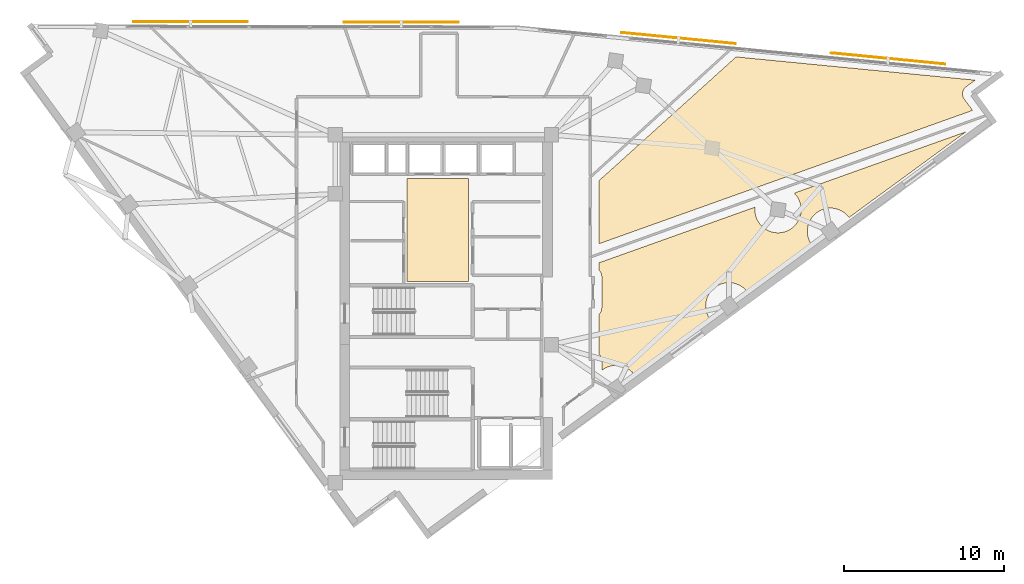
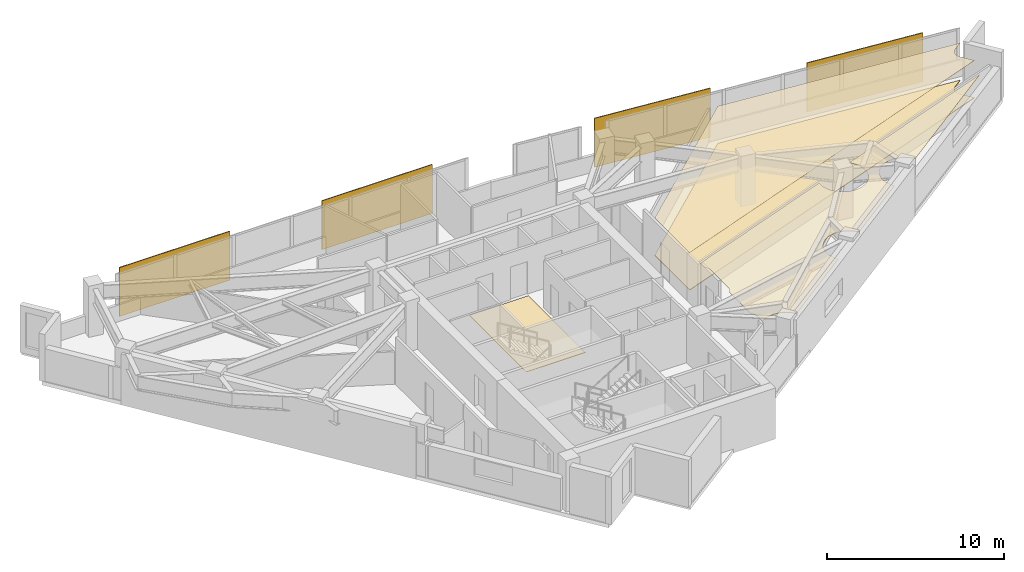
# One storey, part 14 of 14: 4 coverings, 4 shading devices.
"""IFC4 building model written with IfcOpenShell, lengths in metres."""

import ifcopenshell
import ifcopenshell.guid

model = None  # the IFC model being written
_history = None  # IfcOwnerHistory: only IFC2X3 demands one
_inside = {}  # id of a spatial element -> (the spatial element, [elements in it])
_under = {}  # id of a project, library or spatial element -> (it, [spatial elements below it])
_declared = {}  # id of a project -> (the project, [libraries it declares])
_typed = {}  # id of a type object -> (the type object, [elements of that type])
_made_of = {}  # id of a material, layer set ... -> (it, [elements and type objects made of it])


def new_model(schema):
    """Start an empty IFC model of exactly this schema.

    Asked for "IFC4X3", IfcOpenShell would pick the latest addendum, in which some entities
    have other attributes; the version numbers below select the first issue.
    IFC2X3 requires an IfcOwnerHistory on every rooted entity: one is made here for all.
    """
    global model, _history
    if schema == "IFC4X3":
        model = ifcopenshell.file(schema_version=(4, 3, 0, 0))
    else:
        model = ifcopenshell.file(schema=schema)
    _inside.clear()
    _under.clear()
    _declared.clear()
    _typed.clear()
    _made_of.clear()
    _history = None
    if model.schema == "IFC2X3":
        org = make("IfcOrganization", Name="unknown")
        user = make(
            "IfcPersonAndOrganization",
            ThePerson=make("IfcPerson", FamilyName="unknown"),
            TheOrganization=org,
        )
        app = make(
            "IfcApplication",
            ApplicationDeveloper=org,
            Version="unknown",
            ApplicationFullName="unknown",
            ApplicationIdentifier="unknown",
        )
        _history = make(
            "IfcOwnerHistory",
            OwningUser=user,
            OwningApplication=app,
            ChangeAction="ADDED",
            CreationDate=0,
        )
    return model


def make(cls, **values):
    """One entity of the class cls with the attributes given. An attribute that is None is left unset."""
    return model.create_entity(
        cls, **{name: value for name, value in values.items() if value is not None}
    )


def rooted(cls, **values):
    """An entity with a GlobalId (a new one), such as an element, a storey or a relation."""
    return make(cls, GlobalId=ifcopenshell.guid.new(), OwnerHistory=_history, **values)


def si_unit(unit_type, name, prefix=None):
    """IfcSIUnit, for example si_unit("LENGTHUNIT", "METRE", prefix="MILLI")."""
    return make("IfcSIUnit", UnitType=unit_type, Prefix=prefix, Name=name)


def assignment(units):
    """IfcUnitAssignment: the units of a project."""
    return None if units is None else make("IfcUnitAssignment", Units=units)


def point(xyz):
    """IfcCartesianPoint."""
    return None if xyz is None else make("IfcCartesianPoint", Coordinates=xyz)


def direction(xyz):
    """IfcDirection."""
    return None if xyz is None else make("IfcDirection", DirectionRatios=xyz)


def frame(location, z_axis=None, x_axis=None):
    """IfcAxis2Placement3D, a coordinate frame: its origin and axes. An axis left out is left unset."""
    return make(
        "IfcAxis2Placement3D",
        Location=point(location),
        Axis=direction(z_axis),
        RefDirection=direction(x_axis),
    )


def frame_2d(location, x_axis=None):
    """IfcAxis2Placement2D, a coordinate frame in the plane: its origin and x axis."""
    return make(
        "IfcAxis2Placement2D", Location=point(location), RefDirection=direction(x_axis)
    )


def origin():
    """The frame at (0, 0, 0) with its axes left unset."""
    return frame((0.0, 0.0, 0.0))


def origin_2d():
    """The frame at (0, 0) in the plane with its x axis left unset."""
    return frame_2d((0.0, 0.0))


def place(relative_to, where):
    """IfcLocalPlacement: puts the frame where relative to a parent placement (None: the world)."""
    return make(
        "IfcLocalPlacement", PlacementRelTo=relative_to, RelativePlacement=where
    )


def context(
    kind, dimensions, precision=None, world=None, true_north=None, identifier=None
):
    """IfcGeometricRepresentationContext, for example the 3D "Model" context."""
    return make(
        "IfcGeometricRepresentationContext",
        ContextIdentifier=identifier,
        ContextType=kind,
        CoordinateSpaceDimension=dimensions,
        Precision=precision,
        WorldCoordinateSystem=world,
        TrueNorth=true_north,
    )


def subcontext(parent, identifier, kind, view, scale=None):
    """IfcGeometricRepresentationSubContext, for example "Body" below "Model"."""
    return make(
        "IfcGeometricRepresentationSubContext",
        ContextIdentifier=identifier,
        ContextType=kind,
        ParentContext=parent,
        TargetScale=scale,
        TargetView=view,
    )


def project(units=None, contexts=None):
    """IfcProject with its units and contexts."""
    return rooted(
        "IfcProject",
        Name="project",
        RepresentationContexts=contexts,
        UnitsInContext=assignment(units),
    )


def spatial(cls, under=None, at=None, **own):
    """A site, building, storey or space (cls), placed at a placement, below another one or the project."""
    s = rooted(cls, ObjectPlacement=at, **own)
    if under is not None:
        _under.setdefault(under.id(), (under, []))[1].append(s)
    return s


def polyline(points):
    """IfcPolyline through the points."""
    return make("IfcPolyline", Points=[point(p) for p in points])


def profile(cls, at=None, kind="AREA", **sizes):
    """A parametric profile (cls). Its sizes go by their IFC names, for example OverallWidth=200.0."""
    return make(cls, ProfileType=kind, Position=at, **sizes)


def rectangle(**sizes):
    """IfcRectangleProfileDef."""
    return profile("IfcRectangleProfileDef", **sizes)


def outline(outer, holes=None, kind="AREA"):
    """IfcArbitraryClosedProfileDef: a profile drawn as a closed curve; with holes, ...WithVoids."""
    if holes is None:
        return make("IfcArbitraryClosedProfileDef", ProfileType=kind, OuterCurve=outer)
    return make(
        "IfcArbitraryProfileDefWithVoids",
        ProfileType=kind,
        OuterCurve=outer,
        InnerCurves=holes,
    )


def extrude(swept, where, along, depth):
    """IfcExtrudedAreaSolid: the profile swept, set in the frame where, extruded along a direction by depth."""
    return make(
        "IfcExtrudedAreaSolid",
        SweptArea=swept,
        Position=where,
        ExtrudedDirection=direction(along),
        Depth=depth,
    )


def shape(context_of_items, identifier, shape_type, items):
    """IfcShapeRepresentation: the items that make up one representation, for example the "Body"."""
    return make(
        "IfcShapeRepresentation",
        ContextOfItems=context_of_items,
        RepresentationIdentifier=identifier,
        RepresentationType=shape_type,
        Items=items,
    )


def material(Name=None, Category=None):
    """IfcMaterial."""
    return make("IfcMaterial", Name=Name, Category=Category)


def layer(
    of_material, thickness, ventilated=None, Name=None, Category=None, Priority=None
):
    """IfcMaterialLayer: one layer of a wall or slab, of a material (None: an air gap)."""
    return make(
        "IfcMaterialLayer",
        Material=of_material,
        LayerThickness=thickness,
        IsVentilated=ventilated,
        Name=Name,
        Category=Category,
        Priority=Priority,
    )


def layer_set(layers, Name=None):
    """IfcMaterialLayerSet."""
    return make("IfcMaterialLayerSet", MaterialLayers=layers, LayerSetName=Name)


def made_of(thing, what):
    """Note that an element or type object is made of a material, layer set ...; save() writes the relation."""
    if what is not None:
        _made_of.setdefault(what.id(), (what, []))[1].append(thing)
    return thing


def type_object(cls, material=None, **own):
    """A type object (cls), such as IfcWallType, which elements share."""
    return made_of(rooted(cls, **own), material)


def element(
    cls,
    number,
    at=None,
    inside=None,
    cuts=None,
    type_object=None,
    material=None,
    context=None,
    identifier="Body",
    shape_type=None,
    held_by="IfcProductDefinitionShape",
    body=None,
    shapes=None,
    **own,
):
    """One element of the class cls, such as IfcWall. Its Tag is "e" and its number.

    at: its placement. inside: the storey or other place that contains it. cuts: it is an
    opening in that element (IfcRelVoidsElement). A single representation is given by context,
    identifier, shape_type and body (its items); several are given by shapes. held_by: the class
    of the entity that holds the representations. save() writes the other relations.
    """
    e = rooted(cls, Tag="e%d" % number, ObjectPlacement=at, **own)
    if body is not None:
        shapes = [shape(context, identifier, shape_type, body)]
    if shapes is not None:
        e.Representation = make(held_by, Representations=shapes)
    if inside is not None:
        _inside.setdefault(inside.id(), (inside, []))[1].append(e)
    if cuts is not None:
        rooted(
            "IfcRelVoidsElement", RelatingBuildingElement=cuts, RelatedOpeningElement=e
        )
    if type_object is not None:
        _typed.setdefault(type_object.id(), (type_object, []))[1].append(e)
    return made_of(e, material)


def aggregate(whole, parts):
    """IfcRelAggregates: a whole, such as a stair, and the parts it consists of."""
    return rooted("IfcRelAggregates", RelatingObject=whole, RelatedObjects=parts)


def save(model, path):
    """Write the relations noted so far, then the file.

    IfcRelAggregates (storeys below a building ...), IfcRelContainedInSpatialStructure (elements
    in a storey), IfcRelDefinesByType, IfcRelAssociatesMaterial and IfcRelDeclares: one each for
    every whole, place, type object, material and project.
    """
    for whole, parts in _under.values():
        aggregate(whole, parts)
    for where, things in _inside.values():
        rooted(
            "IfcRelContainedInSpatialStructure",
            RelatedElements=things,
            RelatingStructure=where,
        )
    for kind, things in _typed.values():
        rooted("IfcRelDefinesByType", RelatedObjects=things, RelatingType=kind)
    for what, things in _made_of.values():
        rooted("IfcRelAssociatesMaterial", RelatedObjects=things, RelatingMaterial=what)
    for by, libraries in _declared.values():
        rooted("IfcRelDeclares", RelatingContext=by, RelatedDefinitions=libraries)
    model.write(path)


model = new_model("IFC4")

# Units and contexts
model_context = context("Model", 3, precision=1e-05, world=origin(), true_north=direction((0.0, 1.0)))
body_context = subcontext(model_context, "Body", "Model", "MODEL_VIEW")
ifc_project = project(units=[si_unit("LENGTHUNIT", "METRE"), si_unit("AREAUNIT", "SQUARE_METRE"), si_unit("VOLUMEUNIT", "CUBIC_METRE"), si_unit("PLANEANGLEUNIT", "RADIAN"), si_unit("MASSUNIT", "GRAM", prefix="KILO")], contexts=[model_context])

# Site, building, storey
site_placement = place(None, origin())
site = spatial("IfcSite", under=ifc_project, at=site_placement, CompositionType="ELEMENT")
building_placement = place(site_placement, origin())
building = spatial("IfcBuilding", under=site, at=building_placement, Name="Narakoshi Arena Tower", CompositionType="ELEMENT")
storey_placement = place(building_placement, frame((0.0, 0.0, 260.739990234375)))
storey = spatial("IfcBuildingStorey", under=building, at=storey_placement, Name="L71", CompositionType="ELEMENT", Elevation=260.739990234375)

# Coverings
ifc_material_1 = material(Name="Acoustic mineral-fibre ceiling tile")
ifc_layer_1 = layer(ifc_material_1, 0.02001953125)
ifc_layer_set_1 = layer_set([ifc_layer_1], Name="Acoustic mineral-fibre ceiling tile")
covering_type_1 = type_object("IfcCoveringType", Name="COV-CLG-AC20", PredefinedType="CEILING", material=ifc_layer_set_1)
covering_1_placement = place(storey_placement, frame((0.0, 0.0, 2.590087890625)))
element("IfcCovering", 1, at=covering_1_placement, inside=storey, type_object=covering_type_1, Name="L71 Suspended Acoustic Ceiling 1", PredefinedType="CEILING", context=body_context, shape_type="SweptSolid", body=[
    extrude(outline(polyline([(111.486328125, 59.474365234375), (111.447998046875, 59.436279296875), (111.41357421875, 59.394775390625), (111.38330078125, 59.35009765625), (111.357666015625, 59.302734375), (111.336669921875, 59.2529296875), (111.32080078125, 59.201416015625), (111.309814453125, 59.1484375), (111.30419921875, 59.0947265625), (111.303955078125, 59.040771484375), (111.30908203125, 58.987060546875), (111.3193359375, 58.93408203125), (111.334716796875, 58.88232421875), (111.35498046875, 58.83251953125), (111.380126953125, 58.78466796875), (111.409912109375, 58.739501953125), (111.93212890625, 58.027099609375), (88.522216796875, 49.668212890625), (88.522216796875, 53.619384765625), (97.117919921875, 61.37890625), (112.09228515625, 59.921875), (111.5283203125, 59.50830078125), (111.486328125, 59.474365234375)])), origin(), (0.0, 0.0, 1.0), 0.02001953125),
])
ifc_material_2 = material(Name="Slatted oak acoustic timber baffle", Category="wood")
ifc_layer_2 = layer(ifc_material_2, 0.034912109375)
ifc_layer_set_2 = layer_set([ifc_layer_2], Name="Slatted oak acoustic timber baffle")
covering_type_2 = type_object("IfcCoveringType", Name="COV-CLG-WD35", PredefinedType="CEILING", material=ifc_layer_set_2)
covering_2_placement = place(storey_placement, frame((0.0, 0.0, 2.574951171875)))
element("IfcCovering", 2, at=covering_2_placement, inside=storey, type_object=covering_type_2, Name="L71 Suspended Acoustic Ceiling 2", PredefinedType="CEILING", context=body_context, shape_type="SweptSolid", body=[
    extrude(outline(polyline([(88.522216796875, 45.245849609375), (88.538818359375, 45.260986328125), (88.5751953125, 45.301025390625), (88.607421875, 45.344482421875), (88.635009765625, 45.390625), (88.658203125, 45.439453125), (88.67626953125, 45.490234375), (88.689453125, 45.542724609375), (88.697509765625, 45.59619140625), (88.699951171875, 45.64990234375), (88.699951171875, 47.6201171875), (88.697509765625, 47.673828125), (88.689453125, 47.727294921875), (88.67626953125, 47.77978515625), (88.658203125, 47.83056640625), (88.635009765625, 47.87939453125), (88.607421875, 47.925537109375), (88.5751953125, 47.968994140625), (88.538818359375, 48.0087890625), (88.522216796875, 48.024169921875), (88.522216796875, 48.474853515625), (98.30224609375, 51.966796875), (98.299560546875, 51.94921875), (98.29248046875, 51.80712890625), (98.299560546875, 51.6650390625), (98.320556640625, 51.524169921875), (98.35498046875, 51.38623046875), (98.403076171875, 51.252197265625), (98.4638671875, 51.12353515625), (98.537109375, 51.00146484375), (98.62158203125, 50.88720703125), (98.71728515625, 50.78173828125), (98.82275390625, 50.686279296875), (98.93701171875, 50.6015625), (99.05908203125, 50.5283203125), (99.187744140625, 50.467529296875), (99.32177734375, 50.41943359375), (99.459716796875, 50.385009765625), (99.6005859375, 50.364013671875), (99.74267578125, 50.357177734375), (99.884765625, 50.364013671875), (100.025390625, 50.385009765625), (100.16357421875, 50.41943359375), (100.297607421875, 50.467529296875), (100.426025390625, 50.5283203125), (100.548095703125, 50.6015625), (100.66259765625, 50.686279296875), (100.767822265625, 50.78173828125), (100.863525390625, 50.88720703125), (100.9482421875, 51.00146484375), (101.021484375, 51.12353515625), (101.082275390625, 51.252197265625), (101.130126953125, 51.38623046875), (101.164794921875, 51.524169921875), (101.185546875, 51.6650390625), (101.192626953125, 51.80712890625), (101.185546875, 51.94921875), (101.164794921875, 52.090087890625), (101.130126953125, 52.22802734375), (101.082275390625, 52.362060546875), (101.021484375, 52.490478515625), (100.9482421875, 52.61279296875), (100.863525390625, 52.72705078125), (100.767822265625, 52.83251953125), (100.756103515625, 52.843017578125), (111.512939453125, 56.68408203125), (104.194580078125, 51.318115234375), (104.1533203125, 51.37353515625), (104.057861328125, 51.47900390625), (103.952392578125, 51.574462890625), (103.838134765625, 51.6591796875), (103.716064453125, 51.732421875), (103.58740234375, 51.793212890625), (103.453369140625, 51.84130859375), (103.3154296875, 51.875732421875), (103.174560546875, 51.896484375), (103.032470703125, 51.903564453125), (102.890380859375, 51.896484375), (102.74951171875, 51.875732421875), (102.611572265625, 51.84130859375), (102.4775390625, 51.793212890625), (102.34912109375, 51.732421875), (102.226806640625, 51.6591796875), (102.112548828125, 51.574462890625), (102.007080078125, 51.47900390625), (101.91162109375, 51.37353515625), (101.826904296875, 51.25927734375), (101.753662109375, 51.13720703125), (101.69287109375, 51.008544921875), (101.64501953125, 50.87451171875), (101.6103515625, 50.736572265625), (101.589599609375, 50.595703125), (101.58251953125, 50.45361328125), (101.589599609375, 50.3115234375), (101.6103515625, 50.170654296875), (101.64501953125, 50.03271484375), (101.69287109375, 49.898681640625), (101.753662109375, 49.77001953125), (101.826904296875, 49.64794921875), (101.858642578125, 49.605224609375), (97.825439453125, 46.64794921875), (97.7841796875, 46.703369140625), (97.688720703125, 46.808837890625), (97.583251953125, 46.904296875), (97.468994140625, 46.989013671875), (97.346923828125, 47.062255859375), (97.21826171875, 47.123046875), (97.084228515625, 47.171142578125), (96.9462890625, 47.20556640625), (96.805419921875, 47.2265625), (96.663330078125, 47.2333984375), (96.521240234375, 47.2265625), (96.380615234375, 47.20556640625), (96.242431640625, 47.171142578125), (96.1083984375, 47.123046875), (95.97998046875, 47.062255859375), (95.85791015625, 46.989013671875), (95.743408203125, 46.904296875), (95.63818359375, 46.808837890625), (95.54248046875, 46.703369140625), (95.457763671875, 46.589111328125), (95.384521484375, 46.467041015625), (95.32373046875, 46.33837890625), (95.27587890625, 46.204345703125), (95.2412109375, 46.06640625), (95.220458984375, 45.925537109375), (95.21337890625, 45.783447265625), (95.220458984375, 45.641357421875), (95.2412109375, 45.50048828125), (95.27587890625, 45.362548828125), (95.32373046875, 45.228515625), (95.384521484375, 45.10009765625), (95.457763671875, 44.977783203125), (95.489501953125, 44.93505859375), (90.74853515625, 41.458984375), (90.70751953125, 41.514404296875), (90.61181640625, 41.619873046875), (90.50634765625, 41.71533203125), (90.39208984375, 41.800048828125), (90.27001953125, 41.873291015625), (90.141357421875, 41.93408203125), (90.00732421875, 41.982177734375), (89.869384765625, 42.0166015625), (89.728515625, 42.03759765625), (89.58642578125, 42.04443359375), (89.4443359375, 42.03759765625), (89.3037109375, 42.0166015625), (89.16552734375, 41.982177734375), (89.031494140625, 41.93408203125), (88.903076171875, 41.873291015625), (88.781005859375, 41.800048828125), (88.699951171875, 41.739990234375), (88.699951171875, 42.35009765625), (88.697509765625, 42.40380859375), (88.689453125, 42.457275390625), (88.67626953125, 42.509765625), (88.658203125, 42.560546875), (88.635009765625, 42.609375), (88.607421875, 42.655517578125), (88.5751953125, 42.698974609375), (88.538818359375, 42.739013671875), (88.522216796875, 42.754150390625), (88.522216796875, 45.245849609375)])), origin(), (0.0, 0.0, 1.0), 0.03515625),
])
ifc_material_3 = material(Name="Raised steel access floor panel", Category="steel")
ifc_layer_3 = layer(ifc_material_3, 0.044921875)
ifc_layer_set_3 = layer_set([ifc_layer_3], Name="Raised steel access floor panel")
covering_type_3 = type_object("IfcCoveringType", Name="COV-FLR-RF45", PredefinedType="FLOORING", material=ifc_layer_set_3)
covering_3_placement = place(storey_placement, origin())
element("IfcCovering", 3, at=covering_3_placement, inside=storey, type_object=covering_type_3, Name="L71 Raised Steel Access Floor", PredefinedType="FLOORING", context=body_context, shape_type="SweptSolid", body=[
    extrude(outline(polyline([(111.486328125, 59.474365234375), (111.447998046875, 59.436279296875), (111.41357421875, 59.394775390625), (111.38330078125, 59.35009765625), (111.357666015625, 59.302734375), (111.336669921875, 59.2529296875), (111.32080078125, 59.201416015625), (111.309814453125, 59.1484375), (111.30419921875, 59.0947265625), (111.303955078125, 59.040771484375), (111.30908203125, 58.987060546875), (111.3193359375, 58.93408203125), (111.334716796875, 58.88232421875), (111.35498046875, 58.83251953125), (111.380126953125, 58.78466796875), (111.409912109375, 58.739501953125), (111.93212890625, 58.027099609375), (88.522216796875, 49.668212890625), (88.522216796875, 53.619384765625), (97.117919921875, 61.37890625), (112.09228515625, 59.921875), (111.5283203125, 59.50830078125), (111.486328125, 59.474365234375)])), origin(), (0.0, 0.0, 1.0), 0.044921875),
])
ifc_material_4 = material(Name="Honed granite stone paving", Category="masonry")
ifc_layer_4 = layer(ifc_material_4, 0.030029296875)
ifc_layer_set_4 = layer_set([ifc_layer_4], Name="Honed granite stone paving")
covering_type_4 = type_object("IfcCoveringType", Name="COV-FLR-ST30", PredefinedType="FLOORING", material=ifc_layer_set_4)
covering_4_placement = place(storey_placement, origin())
element("IfcCovering", 4, at=covering_4_placement, inside=storey, type_object=covering_type_4, Name="L71 Lift Lobby Granite Flooring", PredefinedType="FLOORING", context=body_context, shape_type="SweptSolid", body=[
    extrude(outline(polyline([(76.5, 47.300048828125), (80.35009765625, 47.300048828125), (80.35009765625, 53.75), (76.5, 53.75), (76.5, 47.300048828125)])), origin(), (0.0, 0.0, 1.0), 0.030029296875),
])

# Shading devices
ifc_material_5 = material(Name="Perforated bronze ceramic-metal composite")
ifc_layer_5 = layer(ifc_material_5, 0.06005859375)
ifc_layer_set_5 = layer_set([ifc_layer_5], Name="Perforated bronze ceramic-metal composite")
shading_device_type = type_object("IfcShadingDeviceType", Name="SHD-SCR-BRZ2", PredefinedType="USERDEFINED", material=ifc_layer_set_5)
for number, where, z_axis, x_axis, name in (
    (5, (106.64697265625, 61.275390625, 0.0), (0.0, 0.0, 1.0), (-0.995298664587, 0.096853333819, 0.0), "L71 Perforated Bronze Solar Screen 1-1"),
    (6, (93.509033203125, 62.553955078125, 0.0), (0.0, 0.0, 1.0), (-0.995298664587, 0.096853333819, 0.0), "L71 Perforated Bronze Solar Screen 1-2"),
    (7, (76.1328125, 63.556396484375, 0.0), (0.0, 0.0, 1.0), (-0.999998352629, 0.001815141425, 0.0), "L71 Perforated Bronze Solar Screen 2-1"),
    (8, (62.932861328125, 63.580322265625, 0.0), (0.0, 0.0, 1.0), (-0.999998352629, 0.001815141425, 0.0), "L71 Perforated Bronze Solar Screen 2-2"),
):
    element("IfcShadingDevice", number, at=place(storey_placement, frame(where, z_axis=z_axis, x_axis=x_axis)), inside=storey, type_object=shading_device_type, Name=name, ObjectType="SOLAR SCREEN", PredefinedType="USERDEFINED", context=body_context, shape_type="SweptSolid", body=[
        extrude(rectangle(XDim=7.199951171875, YDim=0.06005859375, at=origin_2d()), origin(), (0.0, 0.0, 1.0), 3.3701171875),
    ])

save(model, "model.ifc")
